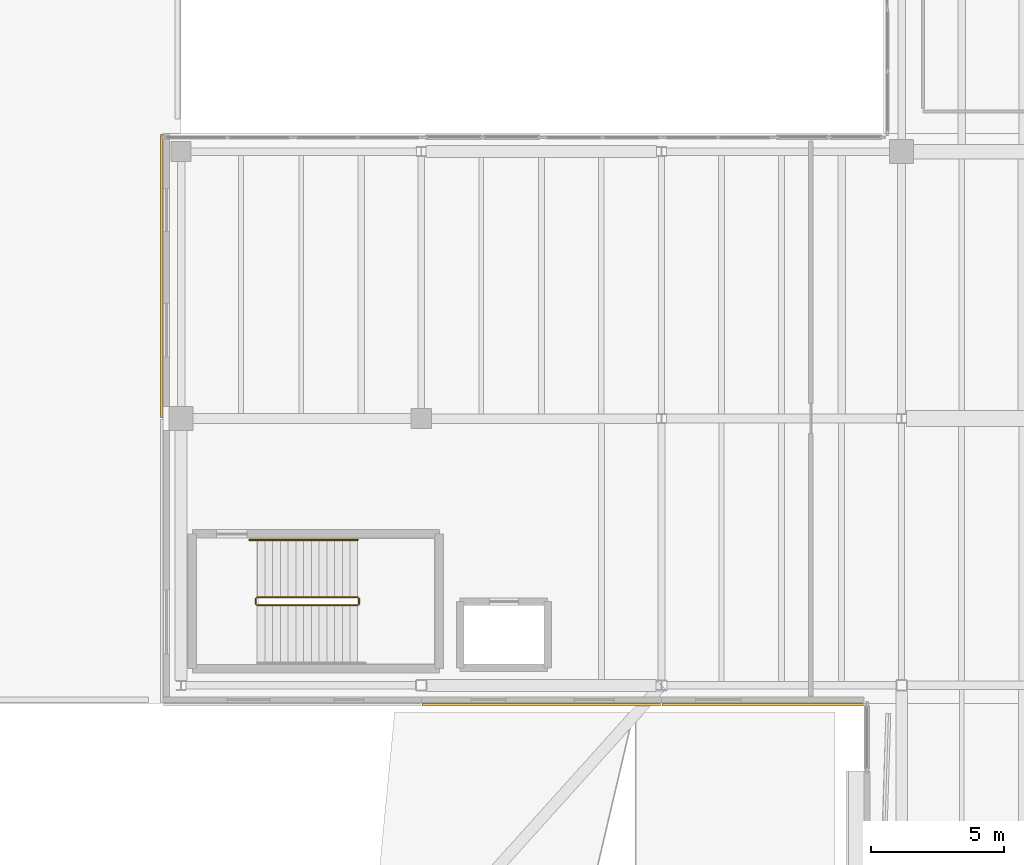
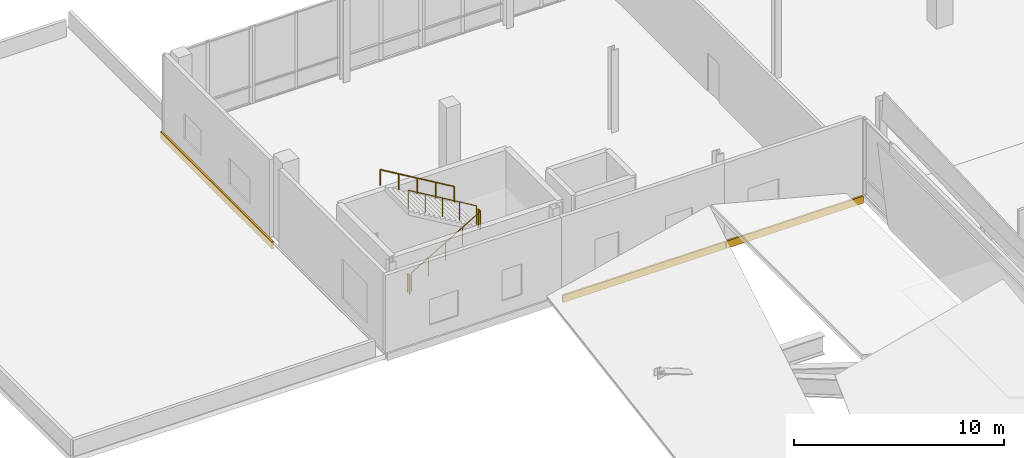
# One storey, part 35 of 41: 5 railings, 3 coverings.
"""IFC4 building model written with IfcOpenShell, lengths in metres."""

from ifc_helpers import new_model, si_unit, direction, frame, origin, origin_2d, place, context, subcontext, project, spatial, rectangle, circle, extrude, material, layer, layer_set, type_object, element, save


model = new_model("IFC4")

# Units and contexts
model_context = context("Model", 3, precision=1e-05, world=origin(), true_north=direction((0.0, 1.0)))
body_context = subcontext(model_context, "Body", "Model", "MODEL_VIEW")
ifc_project = project(units=[si_unit("LENGTHUNIT", "METRE"), si_unit("AREAUNIT", "SQUARE_METRE"), si_unit("VOLUMEUNIT", "CUBIC_METRE"), si_unit("PLANEANGLEUNIT", "RADIAN"), si_unit("MASSUNIT", "GRAM", prefix="KILO")], contexts=[model_context])

# Site, building, storey
site_placement = place(None, origin())
site = spatial("IfcSite", under=ifc_project, at=site_placement, CompositionType="ELEMENT")
building_placement = place(site_placement, origin())
building = spatial("IfcBuilding", under=site, at=building_placement, Name="Trimount Lyric Opera House", CompositionType="ELEMENT")
storey_placement = place(building_placement, frame((0.0, 0.0, 20.0)))
storey = spatial("IfcBuildingStorey", under=building, at=storey_placement, Name="L04", CompositionType="ELEMENT", Elevation=20.0)

# Coverings
ifc_material_1 = material(Name="Architectural Precast Concrete Spandrel Band", Category="concrete")
ifc_layer = layer(ifc_material_1, 0.094970703125)
ifc_layer_set = layer_set([ifc_layer], Name="CLD-WING1")
covering_type = type_object("IfcCoveringType", Name="CLD-WING1", PredefinedType="CLADDING", material=ifc_layer_set)
covering_1_placement = place(storey_placement, frame((39.800048828125, 53.278564453125, -0.369873046875), z_axis=(0.0, 0.0, 1.0), x_axis=(-1.0, 0.0, 0.0)))
element("IfcCovering", 1, at=covering_1_placement, inside=storey, type_object=covering_type, Name="L04 precast slab-edge spandrel 291", PredefinedType="CLADDING", context=body_context, shape_type="SweptSolid", body=[
    extrude(rectangle(XDim=7.5400390625, YDim=0.094970703125, at=origin_2d()), origin(), (0.0, 0.0, 1.0), 0.419921875),
])
covering_2_placement = place(storey_placement, frame((31.5, 53.278564453125, -0.369873046875), z_axis=(0.0, 0.0, 1.0), x_axis=(-1.0, 0.0, 0.0)))
element("IfcCovering", 2, at=covering_2_placement, inside=storey, type_object=covering_type, Name="L04 precast slab-edge spandrel 292", PredefinedType="CLADDING", context=body_context, shape_type="SweptSolid", body=[
    extrude(rectangle(XDim=8.93994140625, YDim=0.094970703125, at=origin_2d()), origin(), (0.0, 0.0, 1.0), 0.419921875),
])
covering_3_placement = place(storey_placement, frame((17.278564453125, 69.340087890625, -0.369873046875), z_axis=(0.0, 0.0, 1.0), x_axis=(0.0, 1.0, 0.0)))
element("IfcCovering", 3, at=covering_3_placement, inside=storey, type_object=covering_type, Name="L04 precast slab-edge spandrel 295", PredefinedType="CLADDING", context=body_context, shape_type="SweptSolid", body=[
    extrude(rectangle(XDim=10.6201171875, YDim=0.094970703125, at=origin_2d()), origin(), (0.0, 0.0, 1.0), 0.419921875),
])

# Railings
ifc_material_2 = material(Name="Brushed Stainless Steel 316", Category="steel")
railing_type_1 = type_object("IfcRailingType", Name="RL-GRD110", PredefinedType="GUARDRAIL", material=ifc_material_2)
railing_1_placement = place(storey_placement, frame((20.85009765625, 57.0, 0.17138671875)))
element("IfcRailing", 4, at=railing_1_placement, inside=storey, type_object=railing_type_1, Name="L04 ST-06 stair guard 1", PredefinedType="GUARDRAIL", context=body_context, shape_type="SweptSolid", body=[
    extrude(circle(Radius=0.02392578125, at=origin_2d()), frame((0.0, 0.0, 1.076171875), z_axis=(0.860848830602, 0.0, 0.508860777473), x_axis=(0.0, 1.0, 0.0)), (0.0, 0.0, 1.0), 4.37939453125),
    extrude(circle(Radius=0.02099609375, at=origin_2d()), origin(), (0.0, 0.0, 1.0), 1.052001953125),
    extrude(circle(Radius=0.02099609375, at=origin_2d()), frame((0.9423828125, 0.0, 0.55712890625)), (0.0, 0.0, 1.0), 1.052001953125),
    extrude(circle(Radius=0.02099609375, at=origin_2d()), frame((1.885009765625, 0.0, 1.1142578125)), (0.0, 0.0, 1.0), 1.052001953125),
    extrude(circle(Radius=0.02099609375, at=origin_2d()), frame((2.82763671875, 0.0, 1.67138671875)), (0.0, 0.0, 1.0), 1.052001953125),
    extrude(circle(Radius=0.02099609375, at=origin_2d()), frame((3.77001953125, 0.0, 2.228515625)), (0.0, 0.0, 1.0), 1.052001953125),
])
railing_2_placement = place(storey_placement, frame((24.669921875, 57.050048828125, 2.39990234375)))
element("IfcRailing", 5, at=railing_2_placement, inside=storey, type_object=railing_type_1, Name="L04 ST-06 stair guard 2", PredefinedType="GUARDRAIL", context=body_context, shape_type="SweptSolid", body=[
    extrude(circle(Radius=0.02392578125, at=origin_2d()), frame((0.0, 0.0, 1.076171875), z_axis=(0.0, 1.0, 0.0), x_axis=(-1.0, 0.0, 0.0)), (0.0, 0.0, 1.0), 0.199951171875),
    extrude(circle(Radius=0.02099609375, at=origin_2d()), origin(), (0.0, 0.0, 1.0), 1.052001953125),
    extrude(circle(Radius=0.02099609375, at=origin_2d()), frame((0.0, 0.199951171875, 0.0)), (0.0, 0.0, 1.0), 1.052001953125),
])
railing_3_placement = place(storey_placement, frame((24.6201171875, 57.300048828125, 2.571533203125)))
element("IfcRailing", 6, at=railing_3_placement, inside=storey, type_object=railing_type_1, Name="L04 ST-06 stair guard 3", PredefinedType="GUARDRAIL", context=body_context, shape_type="SweptSolid", body=[
    extrude(circle(Radius=0.02392578125, at=origin_2d()), frame((0.0, 0.0, 1.076171875), z_axis=(-0.860848830602, 0.0, 0.508860777473), x_axis=(0.0, -1.0, 0.0)), (0.0, 0.0, 1.0), 4.37939453125),
    extrude(circle(Radius=0.02099609375, at=origin_2d()), origin(), (0.0, 0.0, 1.0), 1.052001953125),
    extrude(circle(Radius=0.02099609375, at=origin_2d()), frame((-0.9423828125, 0.0, 0.55712890625)), (0.0, 0.0, 1.0), 1.052001953125),
    extrude(circle(Radius=0.02099609375, at=origin_2d()), frame((-1.885009765625, 0.0, 1.1142578125)), (0.0, 0.0, 1.0), 1.052001953125),
    extrude(circle(Radius=0.02099609375, at=origin_2d()), frame((-2.82763671875, 0.0, 1.67138671875)), (0.0, 0.0, 1.0), 1.052001953125),
    extrude(circle(Radius=0.02099609375, at=origin_2d()), frame((-3.77001953125, 0.0, 2.228515625)), (0.0, 0.0, 1.0), 1.052001953125),
])
railing_4_placement = place(storey_placement, frame((20.800048828125, 57.050048828125, 0.0)))
element("IfcRailing", 7, at=railing_4_placement, inside=storey, type_object=railing_type_1, Name="L04 ST-06 stair guard 4", PredefinedType="GUARDRAIL", context=body_context, shape_type="SweptSolid", body=[
    extrude(circle(Radius=0.02392578125, at=origin_2d()), frame((0.0, 0.0, 1.076171875), z_axis=(0.0, 1.0, 0.0), x_axis=(-1.0, 0.0, 0.0)), (0.0, 0.0, 1.0), 0.199951171875),
    extrude(circle(Radius=0.02099609375, at=origin_2d()), origin(), (0.0, 0.0, 1.0), 1.052001953125),
    extrude(circle(Radius=0.02099609375, at=origin_2d()), frame((0.0, 0.199951171875, 0.0)), (0.0, 0.0, 1.0), 1.052001953125),
])
ifc_material_3 = material(Name="Brushed Stainless Steel 316", Category="steel")
railing_type_2 = type_object("IfcRailingType", Name="RL-HND092", PredefinedType="HANDRAIL", material=ifc_material_3)
railing_5_placement = place(storey_placement, frame((24.6201171875, 59.449951171875, 2.571533203125)))
element("IfcRailing", 8, at=railing_5_placement, inside=storey, type_object=railing_type_2, Name="L04 ST-06 stair handrail 2", PredefinedType="HANDRAIL", context=body_context, shape_type="SweptSolid", body=[
    extrude(circle(Radius=0.0224609375, at=origin_2d()), frame((0.0, 0.0, 0.8974609375), z_axis=(-0.86055955557, 0.0, 0.509349831959), x_axis=(0.0, -1.0, 0.0)), (0.0, 0.0, 1.0), 4.718017578125),
    extrude(circle(Radius=0.02099609375, at=origin_2d()), origin(), (0.0, 0.0, 1.0), 0.875),
    extrude(circle(Radius=0.02099609375, at=origin_2d()), frame((-1.01513671875, 0.0, 0.600830078125)), (0.0, 0.0, 1.0), 0.875),
    extrude(circle(Radius=0.02099609375, at=origin_2d()), frame((-2.030029296875, 0.0, 1.20166015625)), (0.0, 0.0, 1.0), 0.875),
    extrude(circle(Radius=0.02099609375, at=origin_2d()), frame((-3.044921875, 0.0, 1.80224609375)), (0.0, 0.0, 1.0), 0.875),
    extrude(circle(Radius=0.02099609375, at=origin_2d()), frame((-4.06005859375, 0.0, 2.403076171875)), (0.0, 0.0, 1.0), 0.875),
])

save(model, "model.ifc")
